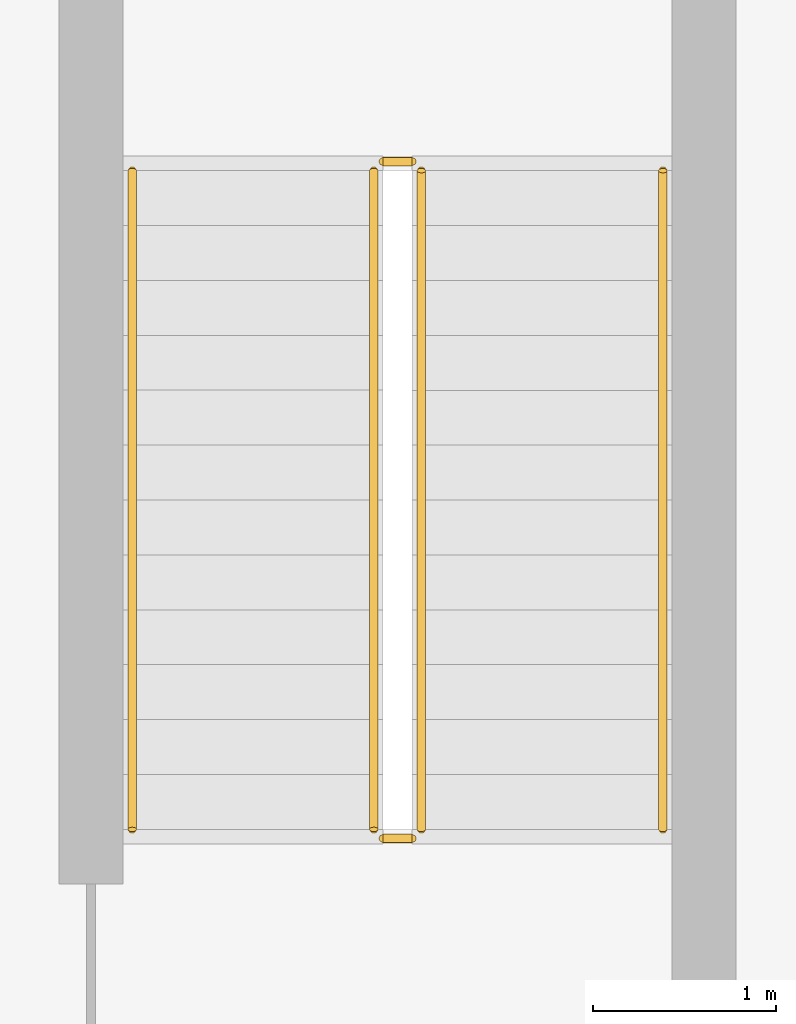
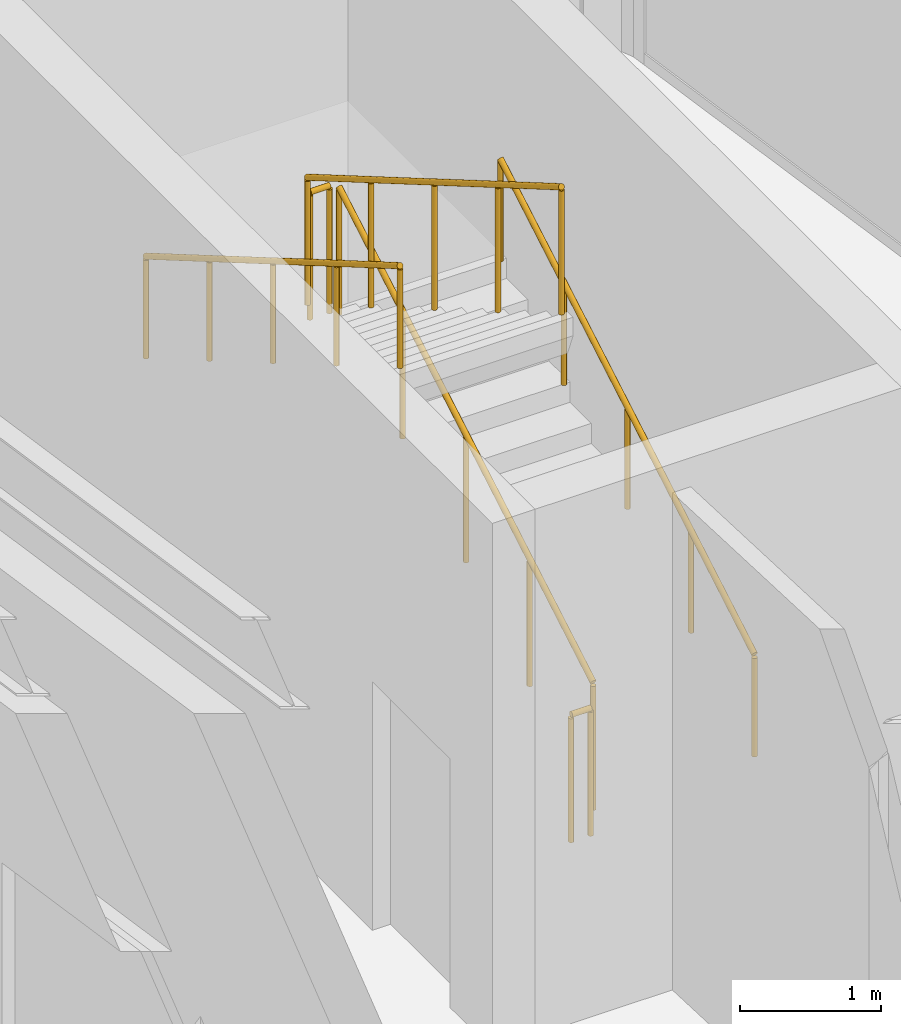
# One storey, part 119 of 133: 6 railings.
"""IFC4 building model written with IfcOpenShell, lengths in metres."""

from ifc_helpers import new_model, si_unit, direction, frame, origin, origin_2d, place, context, subcontext, project, spatial, circle, extrude, material, type_object, element, save


model = new_model("IFC4")

# Units and contexts
model_context = context("Model", 3, precision=1e-05, world=origin(), true_north=direction((0.0, 1.0)))
body_context = subcontext(model_context, "Body", "Model", "MODEL_VIEW")
ifc_project = project(units=[si_unit("LENGTHUNIT", "METRE"), si_unit("AREAUNIT", "SQUARE_METRE"), si_unit("VOLUMEUNIT", "CUBIC_METRE"), si_unit("PLANEANGLEUNIT", "RADIAN"), si_unit("MASSUNIT", "GRAM", prefix="KILO")], contexts=[model_context])

# Site, building, storey
site_placement = place(None, origin())
site = spatial("IfcSite", under=ifc_project, at=site_placement, CompositionType="ELEMENT")
building_placement = place(site_placement, origin())
building = spatial("IfcBuilding", under=site, at=building_placement, Name="Almandine Court Research Institute", CompositionType="ELEMENT")
storey_placement = place(building_placement, frame((0.0, 0.0, 9.800048828125)))
storey = spatial("IfcBuildingStorey", under=building, at=storey_placement, Name="L02", CompositionType="ELEMENT", Elevation=9.800048828125)

# Railings
ifc_material_1 = material(Name="Powder-Coated Steel Stair and Atrium Balustrade", Category="steel")
railing_type_1 = type_object("IfcRailingType", Name="Rail-GUARD-INT", PredefinedType="BALUSTRADE", material=ifc_material_1)
railing_1_placement = place(storey_placement, frame((129.6298828125, 60.64990234375, 0.175048828125)))
element("IfcRailing", 1, at=railing_1_placement, inside=storey, type_object=railing_type_1, Name="L02 ST-14 stair guard 1", PredefinedType="BALUSTRADE", context=body_context, shape_type="SweptSolid", body=[
    extrude(circle(Radius=0.02392578125, at=origin_2d()), frame((0.0, 0.0, 1.09619140625), z_axis=(0.0, 0.863800146258, 0.503834603144), x_axis=(-1.0, 0.0, 0.0)), (0.0, 0.0, 1.0), 4.167724609375),
    extrude(circle(Radius=0.02099609375, at=origin_2d()), origin(), (0.0, 0.0, 1.0), 1.072021484375),
    extrude(circle(Radius=0.02099609375, at=origin_2d()), frame((0.0, 0.89990234375, 0.52490234375)), (0.0, 0.0, 1.0), 1.072021484375),
    extrude(circle(Radius=0.02099609375, at=origin_2d()), frame((0.0, 1.800048828125, 1.0498046875)), (0.0, 0.0, 1.0), 1.072021484375),
    extrude(circle(Radius=0.02099609375, at=origin_2d()), frame((0.0, 2.7001953125, 1.574951171875)), (0.0, 0.0, 1.0), 1.072021484375),
    extrude(circle(Radius=0.02099609375, at=origin_2d()), frame((0.0, 3.60009765625, 2.099853515625)), (0.0, 0.0, 1.0), 1.072021484375),
])
railing_2_placement = place(storey_placement, frame((129.580078125, 64.300048828125, 2.27490234375)))
element("IfcRailing", 2, at=railing_2_placement, inside=storey, type_object=railing_type_1, Name="L02 ST-14 stair guard 2", PredefinedType="BALUSTRADE", context=body_context, shape_type="SweptSolid", body=[
    extrude(circle(Radius=0.02392578125, at=origin_2d()), frame((0.0, 0.0, 1.09619140625), z_axis=(-1.0, 0.0, 0.0), x_axis=(0.0, -1.0, 0.0)), (0.0, 0.0, 1.0), 0.16015625),
    extrude(circle(Radius=0.02099609375, at=origin_2d()), origin(), (0.0, 0.0, 1.0), 1.072021484375),
    extrude(circle(Radius=0.02099609375, at=origin_2d()), frame((-0.16015625, 0.0, 0.0)), (0.0, 0.0, 1.0), 1.072021484375),
])
railing_3_placement = place(storey_placement, frame((129.3701171875, 64.25, 2.449951171875)))
element("IfcRailing", 3, at=railing_3_placement, inside=storey, type_object=railing_type_1, Name="L02 ST-14 stair guard 3", PredefinedType="BALUSTRADE", context=body_context, shape_type="SweptSolid", body=[
    extrude(circle(Radius=0.02392578125, at=origin_2d()), frame((0.0, 0.0, 1.09619140625), z_axis=(0.0, -0.863774651768, 0.503878309678), x_axis=(1.0, 0.0, 0.0)), (0.0, 0.0, 1.0), 4.16796875),
    extrude(circle(Radius=0.02099609375, at=origin_2d()), origin(), (0.0, 0.0, 1.0), 1.072021484375),
    extrude(circle(Radius=0.02099609375, at=origin_2d()), frame((0.0, -0.89990234375, 0.52490234375)), (0.0, 0.0, 1.0), 1.072021484375),
    extrude(circle(Radius=0.02099609375, at=origin_2d()), frame((0.0, -1.800048828125, 1.050048828125)), (0.0, 0.0, 1.0), 1.072021484375),
    extrude(circle(Radius=0.02099609375, at=origin_2d()), frame((0.0, -2.7001953125, 1.5751953125)), (0.0, 0.0, 1.0), 1.072021484375),
    extrude(circle(Radius=0.02099609375, at=origin_2d()), frame((0.0, -3.60009765625, 2.10009765625)), (0.0, 0.0, 1.0), 1.072021484375),
])
railing_4_placement = place(storey_placement, frame((129.580078125, 60.60009765625, 0.0)))
element("IfcRailing", 4, at=railing_4_placement, inside=storey, type_object=railing_type_1, Name="L02 ST-14 stair guard 4", PredefinedType="BALUSTRADE", context=body_context, shape_type="SweptSolid", body=[
    extrude(circle(Radius=0.02392578125, at=origin_2d()), frame((0.0, 0.0, 1.09619140625), z_axis=(-1.0, 0.0, 0.0), x_axis=(0.0, -1.0, 0.0)), (0.0, 0.0, 1.0), 0.16015625),
    extrude(circle(Radius=0.02099609375, at=origin_2d()), origin(), (0.0, 0.0, 1.0), 1.072021484375),
    extrude(circle(Radius=0.02099609375, at=origin_2d()), frame((-0.16015625, 0.0, 0.0)), (0.0, 0.0, 1.0), 1.072021484375),
])
ifc_material_2 = material(Name="Brushed Stainless Steel Wall Handrail", Category="steel")
railing_type_2 = type_object("IfcRailingType", Name="Rail-HAND-INT", PredefinedType="HANDRAIL", material=ifc_material_2)
railing_5_placement = place(storey_placement, frame((130.949951171875, 60.64990234375, 0.175048828125)))
element("IfcRailing", 5, at=railing_5_placement, inside=storey, type_object=railing_type_2, Name="L02 ST-14 stair handrail 1", PredefinedType="HANDRAIL", context=body_context, shape_type="SweptSolid", body=[
    extrude(circle(Radius=0.02392578125, at=origin_2d()), frame((0.0, 0.0, 0.8759765625), z_axis=(0.0, 0.863800146258, 0.503834603144), x_axis=(-1.0, 0.0, 0.0)), (0.0, 0.0, 1.0), 4.167724609375),
    extrude(circle(Radius=0.02099609375, at=origin_2d()), origin(), (0.0, 0.0, 1.0), 0.851806640625),
    extrude(circle(Radius=0.02099609375, at=origin_2d()), frame((0.0, 0.89990234375, 0.52490234375)), (0.0, 0.0, 1.0), 0.851806640625),
    extrude(circle(Radius=0.02099609375, at=origin_2d()), frame((0.0, 1.800048828125, 1.0498046875)), (0.0, 0.0, 1.0), 0.851806640625),
    extrude(circle(Radius=0.02099609375, at=origin_2d()), frame((0.0, 2.7001953125, 1.574951171875)), (0.0, 0.0, 1.0), 0.851806640625),
    extrude(circle(Radius=0.02099609375, at=origin_2d()), frame((0.0, 3.60009765625, 2.099853515625)), (0.0, 0.0, 1.0), 0.851806640625),
])
railing_6_placement = place(storey_placement, frame((128.050048828125, 64.25, 2.449951171875)))
element("IfcRailing", 6, at=railing_6_placement, inside=storey, type_object=railing_type_2, Name="L02 ST-14 stair handrail 2", PredefinedType="HANDRAIL", context=body_context, shape_type="SweptSolid", body=[
    extrude(circle(Radius=0.02392578125, at=origin_2d()), frame((0.0, 0.0, 0.8759765625), z_axis=(0.0, -0.863774651768, 0.503878309678), x_axis=(1.0, 0.0, 0.0)), (0.0, 0.0, 1.0), 4.16796875),
    extrude(circle(Radius=0.02099609375, at=origin_2d()), origin(), (0.0, 0.0, 1.0), 0.851806640625),
    extrude(circle(Radius=0.02099609375, at=origin_2d()), frame((0.0, -0.89990234375, 0.52490234375)), (0.0, 0.0, 1.0), 0.851806640625),
    extrude(circle(Radius=0.02099609375, at=origin_2d()), frame((0.0, -1.800048828125, 1.050048828125)), (0.0, 0.0, 1.0), 0.851806640625),
    extrude(circle(Radius=0.02099609375, at=origin_2d()), frame((0.0, -2.7001953125, 1.5751953125)), (0.0, 0.0, 1.0), 0.851806640625),
    extrude(circle(Radius=0.02099609375, at=origin_2d()), frame((0.0, -3.60009765625, 2.10009765625)), (0.0, 0.0, 1.0), 0.851806640625),
])

save(model, "model.ifc")
